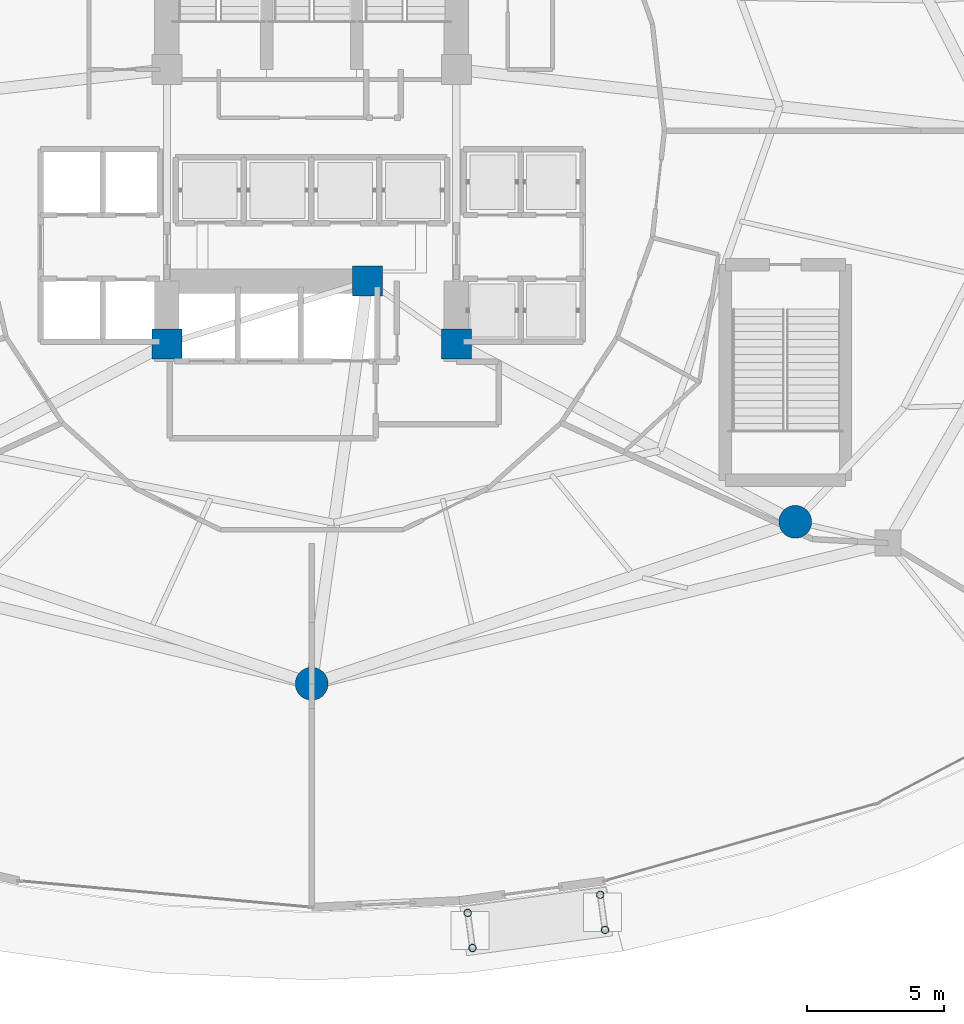
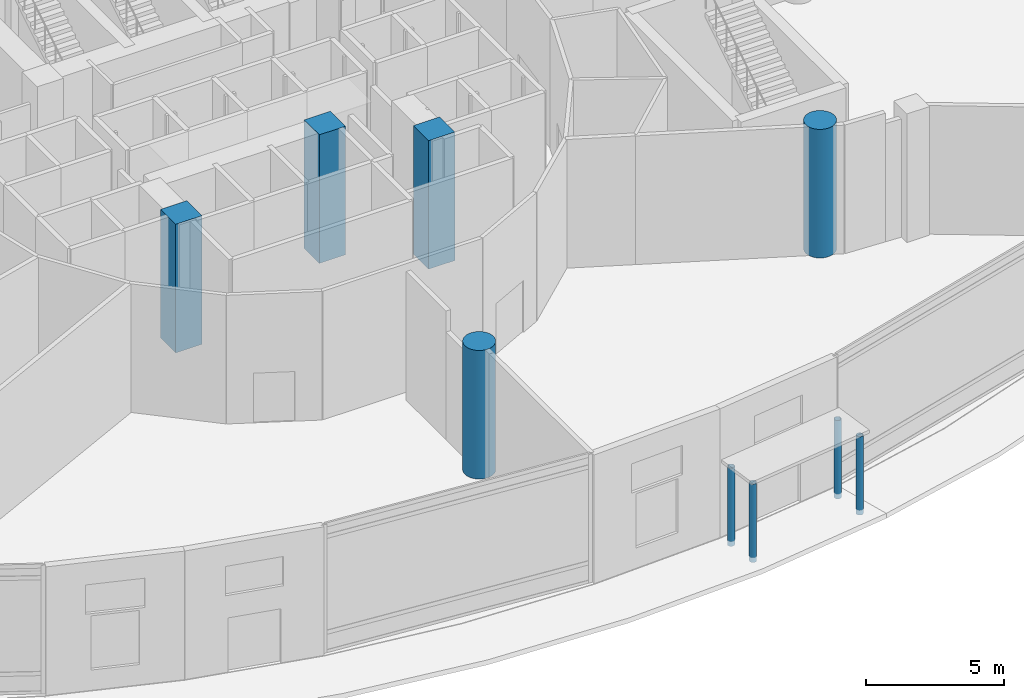
# One storey, part 3 of 40: 9 columns.
"""IFC4 building model written with IfcOpenShell, lengths in metres."""

from ifc_helpers import new_model, si_unit, direction, frame, origin, origin_2d, place, context, subcontext, project, spatial, rectangle, circle, hollow_circle, extrude, material, material_profile, profile_set, type_object, element, save


model = new_model("IFC4")

# Units and contexts
model_context = context("Model", 3, precision=1e-05, world=origin(), true_north=direction((0.0, 1.0)))
body_context = subcontext(model_context, "Body", "Model", "MODEL_VIEW")
ifc_project = project(units=[si_unit("LENGTHUNIT", "METRE"), si_unit("AREAUNIT", "SQUARE_METRE"), si_unit("VOLUMEUNIT", "CUBIC_METRE"), si_unit("PLANEANGLEUNIT", "RADIAN"), si_unit("MASSUNIT", "GRAM", prefix="KILO")], contexts=[model_context])

# Site, building, storey
site_placement = place(None, origin())
site = spatial("IfcSite", under=ifc_project, at=site_placement, CompositionType="ELEMENT")
building_placement = place(site_placement, origin())
building = spatial("IfcBuilding", under=site, at=building_placement, Name="Nuhasar Tower", CompositionType="ELEMENT")
storey_placement = place(building_placement, origin())
storey = spatial("IfcBuildingStorey", under=building, at=storey_placement, Name="L00", CompositionType="ELEMENT", Elevation=0.0)

# Columns
ifc_material_1 = material(Name="Concrete C80/95", Category="concrete")
ifc_material_profile_1 = material_profile(ifc_material_1, circle(Radius=0.60009765625, at=origin_2d()), Name="CFT1200")
ifc_profile_set_1 = profile_set([ifc_material_profile_1], Name="Concrete C80/95")
column_type_1 = type_object("IfcColumnType", Name="COL-CFT-1200", PredefinedType="COLUMN", material=ifc_profile_set_1)
for number, where, z_axis, x_axis, name in (
    (1, (39.0, 6.550048828125, 0.0), (0.0, 0.0, 1.0), (1.0, 0.0, 0.0), "L00 Perimeter Composite Column TC-19"),
    (2, (56.712890625, 12.48095703125, 0.0), (0.0, 0.0, 1.0), (1.0, 0.0, 0.0), "L00 Perimeter Composite Column TC-22"),
):
    element("IfcColumn", number, at=place(storey_placement, frame(where, z_axis=z_axis, x_axis=x_axis)), inside=storey, type_object=column_type_1, Name=name, PredefinedType="COLUMN", context=body_context, shape_type="SweptSolid", body=[
        extrude(circle(Radius=0.60009765625, at=origin_2d()), origin(), (0.0, 0.0, 1.0), 5.699951171875),
    ])
ifc_material_2 = material(Name="Steel S460", Category="steel")
ifc_material_profile_2 = material_profile(ifc_material_2, hollow_circle(Radius=0.136474609375, WallThickness=0.0126953125, at=origin_2d()), Name="HSS273.1X12.7")
ifc_profile_set_2 = profile_set([ifc_material_profile_2], Name="Steel S460")
column_type_2 = type_object("IfcColumnType", Name="COL-CNP-273", PredefinedType="COLUMN", material=ifc_profile_set_2)
for number, where, z_axis, x_axis, name in (
    (3, (44.714111328125, -1.841064453125, -0.219970703125), (0.0, 0.0, 1.0), (1.0, 0.0, 0.0), "L00 Canopy Inner Post South 1"),
    (4, (44.889892578125, -3.12890625, -0.219970703125), (0.0, 0.0, 1.0), (1.0, 0.0, 0.0), "L00 Canopy Outer Post South 1"),
    (5, (49.569091796875, -1.177978515625, -0.219970703125), (0.0, 0.0, 1.0), (1.0, 0.0, 0.0), "L00 Canopy Inner Post South 2"),
    (6, (49.7451171875, -2.466064453125, -0.219970703125), (0.0, 0.0, 1.0), (1.0, 0.0, 0.0), "L00 Canopy Outer Post South 2"),
):
    element("IfcColumn", number, at=place(storey_placement, frame(where, z_axis=z_axis, x_axis=x_axis)), inside=storey, type_object=column_type_2, Name=name, PredefinedType="COLUMN", context=body_context, shape_type="SweptSolid", body=[
        extrude(hollow_circle(Radius=0.136474609375, WallThickness=0.0126953125, at=origin_2d()), origin(), (0.0, 0.0, 1.0), 3.469970703125),
    ])
ifc_material_profile_3 = material_profile(ifc_material_1, rectangle(XDim=1.10009765625, YDim=1.10009765625, at=origin_2d()), Name="RC1100X1100")
ifc_profile_set_3 = profile_set([ifc_material_profile_3], Name="Concrete C80/95")
column_type_3 = type_object("IfcColumnType", Name="PIL-RC-1100", PredefinedType="PILASTER", material=ifc_profile_set_3)
for number, where, z_axis, x_axis, name in (
    (7, (33.699951171875, 19.0, 0.0), (0.0, 0.0, 1.0), (1.0, 0.0, 0.0), "L00 Core Boundary Pilaster CC-01"),
    (8, (41.050048828125, 21.300048828125, 0.0), (0.0, 0.0, 1.0), (1.0, 0.0, 0.0), "L00 Core Boundary Pilaster CC-02"),
    (9, (44.300048828125, 19.0, 0.0), (0.0, 0.0, 1.0), (1.0, 0.0, 0.0), "L00 Core Boundary Pilaster CC-03"),
):
    element("IfcColumn", number, at=place(storey_placement, frame(where, z_axis=z_axis, x_axis=x_axis)), inside=storey, type_object=column_type_3, Name=name, PredefinedType="PILASTER", context=body_context, shape_type="SweptSolid", body=[
        extrude(rectangle(XDim=1.10009765625, YDim=1.10009765625, at=origin_2d()), origin(), (0.0, 0.0, 1.0), 5.699951171875),
    ])

save(model, "model.ifc")
